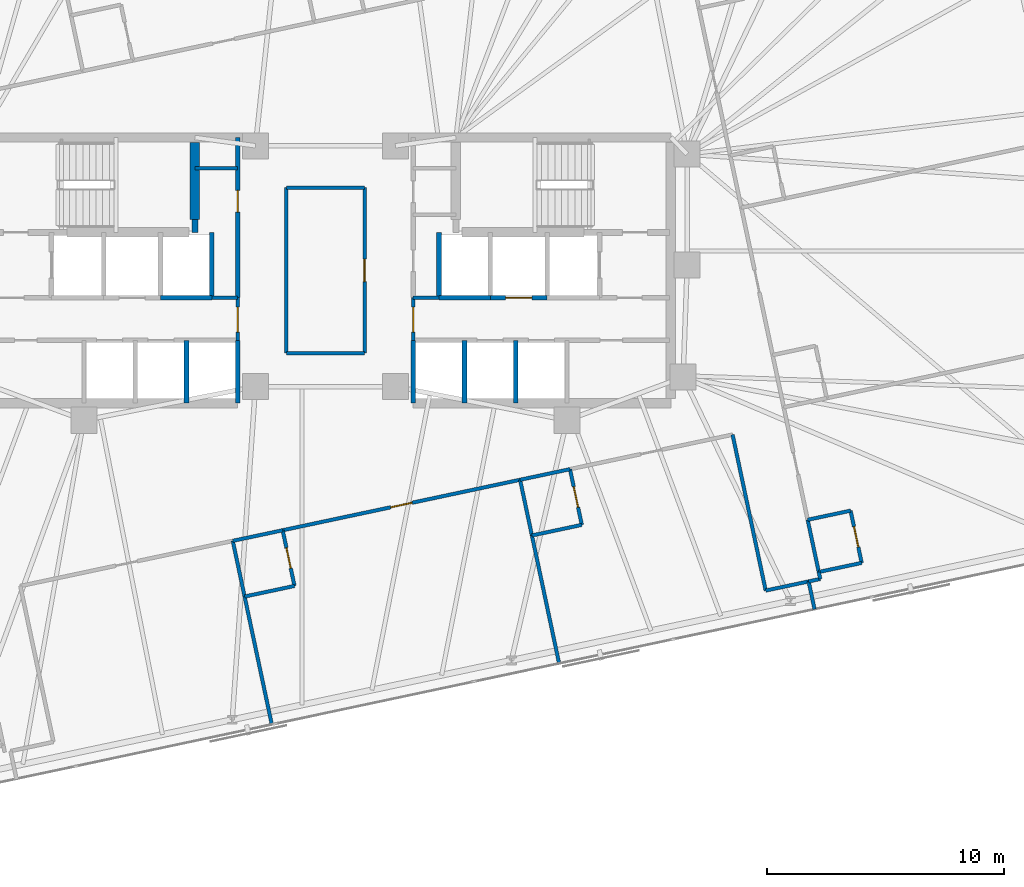
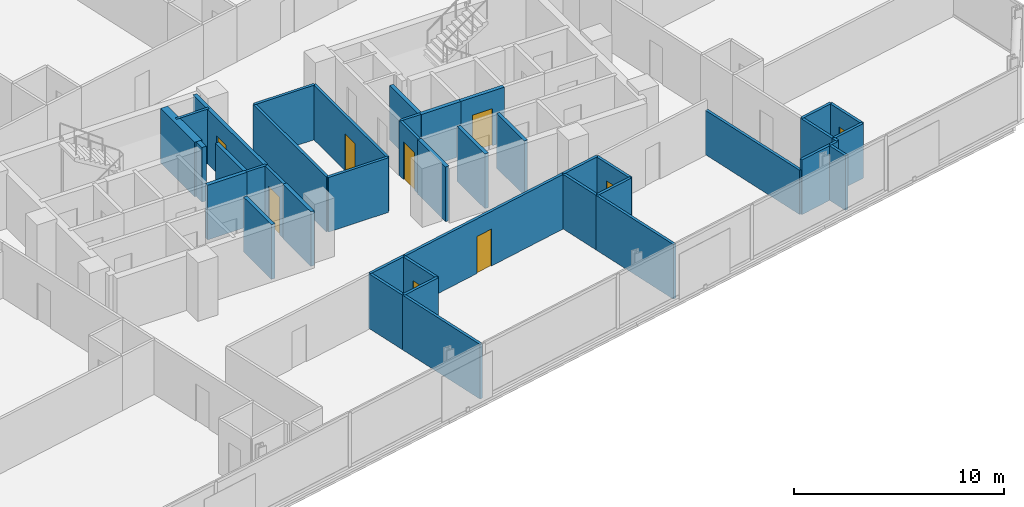
# One storey, part 15 of 19: 42 walls, 9 doors, 9 openings.
"""IFC4 building model written with IfcOpenShell, lengths in metres."""

from ifc_helpers import new_model, si_unit, direction, frame, frame_2d, origin, place, context, subcontext, project, spatial, rectangle, extrude, material, layer, layer_set, type_object, element, fill, save


model = new_model("IFC4")

# Units and contexts
model_context = context("Model", 3, precision=1e-05, world=origin(), true_north=direction((0.0, 1.0)))
body_context = subcontext(model_context, "Body", "Model", "MODEL_VIEW")
ifc_project = project(units=[si_unit("LENGTHUNIT", "METRE"), si_unit("AREAUNIT", "SQUARE_METRE"), si_unit("VOLUMEUNIT", "CUBIC_METRE"), si_unit("PLANEANGLEUNIT", "RADIAN"), si_unit("MASSUNIT", "GRAM", prefix="KILO")], contexts=[model_context])

# Site, building, storey
site_placement = place(None, origin())
site = spatial("IfcSite", under=ifc_project, at=site_placement, CompositionType="ELEMENT")
building_placement = place(site_placement, origin())
building = spatial("IfcBuilding", under=site, at=building_placement, Name="Menara Jurai Vektor", CompositionType="ELEMENT")
storey_placement = place(building_placement, frame((0.0, 0.0, 195.60009765625)))
storey = spatial("IfcBuildingStorey", under=building, at=storey_placement, Name="L51", CompositionType="ELEMENT", Elevation=195.60009765625)

# Wall
ifc_material_1 = material(Name="Concrete C40/50", Category="concrete")
ifc_layer_1 = layer(ifc_material_1, 0.25)
ifc_layer_set_1 = layer_set([ifc_layer_1], Name="Concrete C40/50")
wall_type_1 = type_object("IfcWallType", Name="INT-WALL-CORE-250", PredefinedType="STANDARD", material=ifc_layer_set_1)
wall_1_placement = place(storey_placement, frame((-5.5, 1.60009765625, 0.0), z_axis=(0.0, 0.0, 1.0), x_axis=(0.0, 1.0, 0.0)))
element("IfcWall", 1, at=wall_1_placement, inside=storey, type_object=wall_type_1, Name="Interior Wall IW-250 L51", PredefinedType="STANDARD", context=body_context, shape_type="SweptSolid", body=[
    extrude(rectangle(XDim=0.5498046875, YDim=0.25, at=frame_2d((0.27490234375, 0.0))), origin(), (0.0, 0.0, 1.0), 3.1748046875),
])

# Wall, opening, door
ifc_material_2 = material(Name="Gypsum Fireboard Partition", Category="gypsum")
ifc_layer_2 = layer(ifc_material_2, 0.14990234375)
ifc_layer_set_2 = layer_set([ifc_layer_2], Name="Gypsum Fireboard Partition")
wall_type_2 = type_object("IfcWallType", Name="INT-WALL-CORR-150", PredefinedType="PARTITIONING", material=ifc_layer_set_2)
wall_2_placement = place(storey_placement, frame((-3.699951171875, -2.949951171875, 0.0), z_axis=(0.0, 0.0, 1.0), x_axis=(0.0, 1.0, 0.0)))
wall_2 = element("IfcWall", 2, at=wall_2_placement, inside=storey, type_object=wall_type_2, Name="Interior Wall IW-150 L51", PredefinedType="PARTITIONING", context=body_context, shape_type="SweptSolid", body=[
    extrude(rectangle(XDim=1.800048828125, YDim=0.14990234375, at=frame_2d((0.89990234375, 0.0))), origin(), (0.0, 0.0, 1.0), 3.1748046875),
])
opening_1_placement = place(wall_2_placement, frame((0.35009765625, 0.0, 0.0)))
opening_1 = element("IfcOpeningElement", 3, at=opening_1_placement, cuts=wall_2, Name="Opening D-L51-LLW", PredefinedType="OPENING", context=body_context, shape_type="SweptSolid", body=[
    extrude(rectangle(XDim=1.050048828125, YDim=2.179931640625, at=frame_2d((0.52490234375, 1.08984375))), frame((0.0, 0.0849609375, 0.0), z_axis=(0.0, -1.0, 0.0), x_axis=(1.0, 0.0, 0.0)), (0.0, 0.0, 1.0), 0.169921875),
])
ifc_material_3 = material(Name="Fire-Rated Timber Door", Category="wood")
door_type_1 = type_object("IfcDoorType", Name="DR-LOBBY-1050", OperationType="NOTDEFINED", PredefinedType="DOOR", material=ifc_material_3)
door_1_placement = place(opening_1_placement, origin())
door_1 = element("IfcDoor", 4, at=door_1_placement, inside=storey, type_object=door_type_1, Name="Lift Lobby Corridor Door W L51", OperationType="SINGLE_SWING_LEFT", OverallHeight=2.179931640625, OverallWidth=1.050048828125, PredefinedType="DOOR", context=body_context, shape_type="SweptSolid", body=[
    extrude(rectangle(XDim=1.050048828125, YDim=2.179931640625, at=frame_2d((0.52490234375, 1.08984375))), frame((0.0, 0.02490234375, 0.0), z_axis=(0.0, -1.0, 0.0), x_axis=(1.0, 0.0, 0.0)), (0.0, 0.0, 1.0), 0.050048828125),
])
fill(opening_1, door_1)

# Wall
wall_3_placement = place(storey_placement, frame((-4.7900390625, -1.14990234375, 0.0), z_axis=(0.0, 0.0, 1.0), x_axis=(1.0, 0.0, 0.0)))
element("IfcWall", 5, at=wall_3_placement, inside=storey, type_object=wall_type_2, Name="Interior Wall IW-150 L51", PredefinedType="PARTITIONING", context=body_context, shape_type="SweptSolid", body=[
    extrude(rectangle(XDim=1.090087890625, YDim=0.14990234375, at=frame_2d((0.544921875, 0.0))), origin(), (0.0, 0.0, 1.0), 3.1748046875),
])

# Wall, opening, door
wall_4_placement = place(storey_placement, frame((3.699951171875, -2.949951171875, 0.0), z_axis=(0.0, 0.0, 1.0), x_axis=(0.0, 1.0, 0.0)))
wall_4 = element("IfcWall", 6, at=wall_4_placement, inside=storey, type_object=wall_type_2, Name="Interior Wall IW-150 L51", PredefinedType="PARTITIONING", context=body_context, shape_type="SweptSolid", body=[
    extrude(rectangle(XDim=1.800048828125, YDim=0.14990234375, at=frame_2d((0.89990234375, 0.0))), origin(), (0.0, 0.0, 1.0), 3.1748046875),
])
opening_2_placement = place(wall_4_placement, frame((0.35009765625, 0.0, 0.0)))
opening_2 = element("IfcOpeningElement", 7, at=opening_2_placement, cuts=wall_4, Name="Opening D-L51-LLE", PredefinedType="OPENING", context=body_context, shape_type="SweptSolid", body=[
    extrude(rectangle(XDim=1.050048828125, YDim=2.179931640625, at=frame_2d((0.52490234375, 1.08984375))), frame((0.0, 0.0849609375, 0.0), z_axis=(0.0, -1.0, 0.0), x_axis=(1.0, 0.0, 0.0)), (0.0, 0.0, 1.0), 0.169921875),
])
door_2_placement = place(opening_2_placement, frame((1.050048828125, 0.0, 0.0), z_axis=(0.0, 0.0, 1.0), x_axis=(-1.0, 0.0, 0.0)))
door_2 = element("IfcDoor", 8, at=door_2_placement, inside=storey, type_object=door_type_1, Name="Lift Lobby Corridor Door E L51", OperationType="SINGLE_SWING_RIGHT", OverallHeight=2.179931640625, OverallWidth=1.050048828125, PredefinedType="DOOR", context=body_context, shape_type="SweptSolid", body=[
    extrude(rectangle(XDim=1.050048828125, YDim=2.179931640625, at=frame_2d((0.52490234375, 1.08984375))), frame((0.0, 0.02490234375, 0.0), z_axis=(0.0, -1.0, 0.0), x_axis=(1.0, 0.0, 0.0)), (0.0, 0.0, 1.0), 0.050048828125),
])
fill(opening_2, door_2)

# Walls
wall_5_placement = place(storey_placement, frame((3.699951171875, -1.14990234375, 0.0), z_axis=(0.0, 0.0, 1.0), x_axis=(1.0, 0.0, 0.0)))
element("IfcWall", 9, at=wall_5_placement, inside=storey, type_object=wall_type_2, Name="Interior Wall IW-150 L51", PredefinedType="PARTITIONING", context=body_context, shape_type="SweptSolid", body=[
    extrude(rectangle(XDim=1.090087890625, YDim=0.14990234375, at=frame_2d((0.544921875, 0.0))), origin(), (0.0, 0.0, 1.0), 3.1748046875),
])
wall_6_placement = place(storey_placement, frame((-5.5, 4.300048828125, 0.0), z_axis=(0.0, 0.0, 1.0), x_axis=(1.0, 0.0, 0.0)))
element("IfcWall", 10, at=wall_6_placement, inside=storey, type_object=wall_type_2, Name="Interior Wall IW-150 L51", PredefinedType="PARTITIONING", context=body_context, shape_type="SweptSolid", body=[
    extrude(rectangle(XDim=1.800048828125, YDim=0.14990234375, at=frame_2d((0.89990234375, 0.0))), origin(), (0.0, 0.0, 1.0), 3.1748046875),
])
wall_7_placement = place(storey_placement, frame((-1.64990234375, -3.489501953125, 0.0), z_axis=(0.0, 0.0, 1.0), x_axis=(-3.4979712e-05, 0.999999999388, 0.0)))
element("IfcWall", 11, at=wall_7_placement, inside=storey, type_object=wall_type_2, Name="Interior Wall IW-150 L51", PredefinedType="PARTITIONING", context=body_context, shape_type="SweptSolid", body=[
    extrude(rectangle(XDim=6.9794921875, YDim=0.14990234375, at=frame_2d((3.48974609375, 0.0))), origin(), (0.0, 0.0, 1.0), 3.1748046875),
])
wall_8_placement = place(storey_placement, frame((-1.64990234375, -3.489501953125, 0.0), z_axis=(0.0, 0.0, 1.0), x_axis=(0.999999975374, -0.000221926315, 0.0)))
element("IfcWall", 12, at=wall_8_placement, inside=storey, type_object=wall_type_2, Name="Interior Wall IW-150 L51", PredefinedType="PARTITIONING", context=body_context, shape_type="SweptSolid", body=[
    extrude(rectangle(XDim=3.30029296875, YDim=0.14990234375, at=frame_2d((1.650146484375, 0.0))), origin(), (0.0, 0.0, 1.0), 3.1748046875),
])
wall_9_placement = place(storey_placement, frame((-1.650146484375, 3.489990234375, 0.0), z_axis=(0.0, 0.0, 1.0), x_axis=(1.0, 0.0, 0.0)))
element("IfcWall", 13, at=wall_9_placement, inside=storey, type_object=wall_type_2, Name="Interior Wall IW-150 L51", PredefinedType="PARTITIONING", context=body_context, shape_type="SweptSolid", body=[
    extrude(rectangle(XDim=3.300048828125, YDim=0.14990234375, at=frame_2d((1.64990234375, 0.0))), origin(), (0.0, 0.0, 1.0), 3.1748046875),
])

# Wall, opening, door
wall_10_placement = place(storey_placement, frame((1.650390625, -3.490234375, 0.0), z_axis=(0.0, 0.0, 1.0), x_axis=(-6.9952083e-05, 0.999999997553, 0.0)))
wall_10 = element("IfcWall", 14, at=wall_10_placement, inside=storey, type_object=wall_type_2, Name="Interior Wall IW-150 L51", PredefinedType="PARTITIONING", context=body_context, shape_type="SweptSolid", body=[
    extrude(rectangle(XDim=6.980224609375, YDim=0.14990234375, at=frame_2d((3.490234375, 0.0))), origin(), (0.0, 0.0, 1.0), 3.1748046875),
])
opening_3_placement = place(wall_10_placement, frame((3.01513671875, 0.0, 0.0)))
opening_3 = element("IfcOpeningElement", 15, at=opening_3_placement, cuts=wall_10, Name="Opening D51-06", PredefinedType="OPENING", context=body_context, shape_type="SweptSolid", body=[
    extrude(rectangle(XDim=0.949951171875, YDim=2.14990234375, at=frame_2d((0.47509765625, 1.074951171875))), frame((0.0, 0.0849609375, 0.0), z_axis=(0.0, -1.0, 0.0), x_axis=(1.0, 0.0, 0.0)), (0.0, 0.0, 1.0), 0.169921875),
])
ifc_material_4 = material(Name="Solid Core Timber Fire Door", Category="wood")
door_type_2 = type_object("IfcDoorType", Name="DR-ENTRY-950", OperationType="NOTDEFINED", PredefinedType="DOOR", material=ifc_material_4)
door_3_placement = place(opening_3_placement, origin())
door_3 = element("IfcDoor", 16, at=door_3_placement, inside=storey, type_object=door_type_2, Name="Interior Door D51-06", OperationType="SINGLE_SWING_LEFT", OverallHeight=2.14990234375, OverallWidth=0.949951171875, PredefinedType="DOOR", context=body_context, shape_type="SweptSolid", body=[
    extrude(rectangle(XDim=0.949951171875, YDim=2.14990234375, at=frame_2d((0.47509765625, 1.074951171875))), frame((0.0, 0.02490234375, 0.0), z_axis=(0.0, -1.0, 0.0), x_axis=(1.0, 0.0, 0.0)), (0.0, 0.0, 1.0), 0.050048828125),
])
fill(opening_3, door_3)

wall_11_placement = place(storey_placement, frame((-1.802734375, -10.95654296875, 0.0), z_axis=(0.0, 0.0, 1.0), x_axis=(0.978145386425, 0.207922108048, 0.0)))
wall_11 = element("IfcWall", 17, at=wall_11_placement, inside=storey, type_object=wall_type_2, Name="Interior Wall IW-150 L51", PredefinedType="PARTITIONING", context=body_context, shape_type="SweptSolid", body=[
    extrude(rectangle(XDim=10.23193359375, YDim=0.14990234375, at=frame_2d((5.115966796875, 0.0))), origin(), (0.0, 0.0, 1.0), 3.1748046875),
])
opening_4_placement = place(wall_11_placement, frame((4.656005859375, 0.0, 0.0)))
opening_4 = element("IfcOpeningElement", 18, at=opening_4_placement, cuts=wall_11, Name="Opening D51-15", PredefinedType="OPENING", context=body_context, shape_type="SweptSolid", body=[
    extrude(rectangle(XDim=0.919921875, YDim=2.14990234375, at=frame_2d((0.4599609375, 1.074951171875))), frame((0.0, 0.0849609375, 0.0), z_axis=(0.0, -1.0, 0.0), x_axis=(1.0, 0.0, 0.0)), (0.0, 0.0, 1.0), 0.169921875),
])
door_4_placement = place(opening_4_placement, origin())
door_4 = element("IfcDoor", 19, at=door_4_placement, inside=storey, type_object=door_type_2, Name="Interior Door D51-15", OperationType="SINGLE_SWING_RIGHT", OverallHeight=2.14990234375, OverallWidth=0.919921875, PredefinedType="DOOR", context=body_context, shape_type="SweptSolid", body=[
    extrude(rectangle(XDim=0.919921875, YDim=2.14990234375, at=frame_2d((0.4599609375, 1.074951171875))), frame((0.0, 0.02490234375, 0.0), z_axis=(0.0, -1.0, 0.0), x_axis=(1.0, 0.0, 0.0)), (0.0, 0.0, 1.0), 0.050048828125),
])
fill(opening_4, door_4)

# Walls
wall_12_placement = place(storey_placement, frame((-3.90576171875, -11.403564453125, 0.0), z_axis=(0.0, 0.0, 1.0), x_axis=(0.978146728319, 0.207915795165, 0.0)))
element("IfcWall", 20, at=wall_12_placement, inside=storey, type_object=wall_type_2, Name="Interior Wall IW-150 L51", PredefinedType="PARTITIONING", context=body_context, shape_type="SweptSolid", body=[
    extrude(rectangle(XDim=2.14990234375, YDim=0.14990234375, at=frame_2d((1.074951171875, 0.0))), origin(), (0.0, 0.0, 1.0), 3.1748046875),
])
wall_13_placement = place(storey_placement, frame((18.5595703125, -13.498291015625, 0.0), z_axis=(0.0, 0.0, 1.0), x_axis=(0.978160192495, 0.207852442415, 0.0)))
element("IfcWall", 21, at=wall_13_placement, inside=storey, type_object=wall_type_2, Name="Interior Wall IW-150 L51", PredefinedType="PARTITIONING", context=body_context, shape_type="SweptSolid", body=[
    extrude(rectangle(XDim=1.849853515625, YDim=0.14990234375, at=frame_2d((0.9248046875, 0.0))), origin(), (0.0, 0.0, 1.0), 3.1748046875),
])
wall_14_placement = place(storey_placement, frame((8.20556640625, -8.8291015625, 0.0), z_axis=(0.0, 0.0, 1.0), x_axis=(0.978146728319, 0.207915795165, 0.0)))
element("IfcWall", 22, at=wall_14_placement, inside=storey, type_object=wall_type_2, Name="Interior Wall IW-150 L51", PredefinedType="PARTITIONING", context=body_context, shape_type="SweptSolid", body=[
    extrude(rectangle(XDim=2.14990234375, YDim=0.14990234375, at=frame_2d((1.074951171875, 0.0))), origin(), (0.0, 0.0, 1.0), 3.1748046875),
])
wall_15_placement = place(storey_placement, frame((20.369140625, -13.11376953125, 0.0), z_axis=(0.0, 0.0, 1.0), x_axis=(0.978143962546, 0.207928806409, 0.0)))
element("IfcWall", 23, at=wall_15_placement, inside=storey, type_object=wall_type_2, Name="Interior Wall IW-150 L51", PredefinedType="PARTITIONING", context=body_context, shape_type="SweptSolid", body=[
    extrude(rectangle(XDim=0.500244140625, YDim=0.14990234375, at=frame_2d((0.25, 0.0))), origin(), (0.0, 0.0, 1.0), 3.1748046875),
])
wall_16_placement = place(storey_placement, frame((20.8583984375, -13.009765625, 0.0), z_axis=(0.0, 0.0, 1.0), x_axis=(-0.208306395052, 0.978063620518, 0.0)))
element("IfcWall", 24, at=wall_16_placement, inside=storey, type_object=wall_type_2, Name="Interior Wall IW-150 L51", PredefinedType="PARTITIONING", context=body_context, shape_type="SweptSolid", body=[
    extrude(rectangle(XDim=0.300048828125, YDim=0.14990234375, at=frame_2d((0.14990234375, 0.0))), origin(), (0.0, 0.0, 1.0), 3.1748046875),
])
wall_17_placement = place(storey_placement, frame((20.7958984375, -12.71630859375, 0.0), z_axis=(0.0, 0.0, 1.0), x_axis=(-0.207891197838, 0.978151956427, 0.0)))
element("IfcWall", 25, at=wall_17_placement, inside=storey, type_object=wall_type_2, Name="Interior Wall IW-150 L51", PredefinedType="PARTITIONING", context=body_context, shape_type="SweptSolid", body=[
    extrude(rectangle(XDim=2.25, YDim=0.14990234375, at=frame_2d((1.125, 0.0))), origin(), (0.0, 0.0, 1.0), 3.1748046875),
])
wall_18_placement = place(storey_placement, frame((-2.25927734375, -19.150390625, 0.0), z_axis=(0.0, 0.0, 1.0), x_axis=(-0.20791588359, 0.978146709523, 0.0)))
element("IfcWall", 26, at=wall_18_placement, inside=storey, type_object=wall_type_2, Name="Interior Wall IW-150 L51", PredefinedType="PARTITIONING", context=body_context, shape_type="SweptSolid", body=[
    extrude(rectangle(XDim=5.52001953125, YDim=0.14990234375, at=frame_2d((2.760009765625, 0.0))), origin(), (0.0, 0.0, 1.0), 3.1748046875),
])
wall_19_placement = place(storey_placement, frame((-3.406982421875, -13.7509765625, 0.0), z_axis=(0.0, 0.0, 1.0), x_axis=(-0.207840504985, 0.978162729042, 0.0)))
element("IfcWall", 27, at=wall_19_placement, inside=storey, type_object=wall_type_2, Name="Interior Wall IW-150 L51", PredefinedType="PARTITIONING", context=body_context, shape_type="SweptSolid", body=[
    extrude(rectangle(XDim=2.39990234375, YDim=0.14990234375, at=frame_2d((1.199951171875, 0.0))), origin(), (0.0, 0.0, 1.0), 3.1748046875),
])
wall_20_placement = place(storey_placement, frame((-3.406982421875, -13.7509765625, 0.0), z_axis=(0.0, 0.0, 1.0), x_axis=(0.978151636287, 0.207892704126, 0.0)))
element("IfcWall", 28, at=wall_20_placement, inside=storey, type_object=wall_type_2, Name="Interior Wall IW-150 L51", PredefinedType="PARTITIONING", context=body_context, shape_type="SweptSolid", body=[
    extrude(rectangle(XDim=2.150146484375, YDim=0.14990234375, at=frame_2d((1.0751953125, 0.0))), origin(), (0.0, 0.0, 1.0), 3.1748046875),
])

# Wall, opening, door
wall_21_placement = place(storey_placement, frame((-1.3037109375, -13.303955078125, 0.0), z_axis=(0.0, 0.0, 1.0), x_axis=(-0.207937840262, 0.978142042133, 0.0)))
wall_21 = element("IfcWall", 29, at=wall_21_placement, inside=storey, type_object=wall_type_2, Name="Interior Wall IW-150 L51", PredefinedType="PARTITIONING", context=body_context, shape_type="SweptSolid", body=[
    extrude(rectangle(XDim=2.39990234375, YDim=0.14990234375, at=frame_2d((1.199951171875, 0.0))), origin(), (0.0, 0.0, 1.0), 3.1748046875),
])
opening_5_placement = place(wall_21_placement, frame((0.760009765625, 0.0, 0.0)))
opening_5 = element("IfcOpeningElement", 30, at=opening_5_placement, cuts=wall_21, Name="Opening D51-16", PredefinedType="OPENING", context=body_context, shape_type="SweptSolid", body=[
    extrude(rectangle(XDim=0.8798828125, YDim=2.14990234375, at=frame_2d((0.43994140625, 1.074951171875))), frame((0.0, 0.0849609375, 0.0), z_axis=(0.0, -1.0, 0.0), x_axis=(1.0, 0.0, 0.0)), (0.0, 0.0, 1.0), 0.169921875),
])
ifc_material_5 = material(Name="Moisture-Resistant Timber Door", Category="wood")
door_type_3 = type_object("IfcDoorType", Name="DR-BATH-880", OperationType="NOTDEFINED", PredefinedType="DOOR", material=ifc_material_5)
door_5_placement = place(opening_5_placement, origin())
door_5 = element("IfcDoor", 31, at=door_5_placement, inside=storey, type_object=door_type_3, Name="Interior Door D51-16", OperationType="SINGLE_SWING_LEFT", OverallHeight=2.14990234375, OverallWidth=0.8798828125, PredefinedType="DOOR", context=body_context, shape_type="SweptSolid", body=[
    extrude(rectangle(XDim=0.8798828125, YDim=2.14990234375, at=frame_2d((0.43994140625, 1.074951171875))), frame((0.0, 0.02490234375, 0.0), z_axis=(0.0, -1.0, 0.0), x_axis=(1.0, 0.0, 0.0)), (0.0, 0.0, 1.0), 0.050048828125),
])
fill(opening_5, door_5)

# Walls
wall_22_placement = place(storey_placement, frame((9.852294921875, -16.575927734375, 0.0), z_axis=(0.0, 0.0, 1.0), x_axis=(-0.20792487872, 0.978144797466, 0.0)))
element("IfcWall", 32, at=wall_22_placement, inside=storey, type_object=wall_type_2, Name="Interior Wall IW-150 L51", PredefinedType="PARTITIONING", context=body_context, shape_type="SweptSolid", body=[
    extrude(rectangle(XDim=5.519775390625, YDim=0.14990234375, at=frame_2d((2.759765625, 0.0))), origin(), (0.0, 0.0, 1.0), 3.1748046875),
])
wall_23_placement = place(storey_placement, frame((8.70458984375, -11.1767578125, 0.0), z_axis=(0.0, 0.0, 1.0), x_axis=(-0.207917150959, 0.978146440129, 0.0)))
element("IfcWall", 33, at=wall_23_placement, inside=storey, type_object=wall_type_2, Name="Interior Wall IW-150 L51", PredefinedType="PARTITIONING", context=body_context, shape_type="SweptSolid", body=[
    extrude(rectangle(XDim=2.400146484375, YDim=0.14990234375, at=frame_2d((1.2001953125, 0.0))), origin(), (0.0, 0.0, 1.0), 3.1748046875),
])
wall_24_placement = place(storey_placement, frame((8.70458984375, -11.1767578125, 0.0), z_axis=(0.0, 0.0, 1.0), x_axis=(0.978123629285, 0.208024435669, 0.0)))
element("IfcWall", 34, at=wall_24_placement, inside=storey, type_object=wall_type_2, Name="Interior Wall IW-150 L51", PredefinedType="PARTITIONING", context=body_context, shape_type="SweptSolid", body=[
    extrude(rectangle(XDim=2.150146484375, YDim=0.14990234375, at=frame_2d((1.0751953125, 0.0))), origin(), (0.0, 0.0, 1.0), 3.1748046875),
])

# Wall, opening, door
wall_25_placement = place(storey_placement, frame((10.8076171875, -10.7294921875, 0.0), z_axis=(0.0, 0.0, 1.0), x_axis=(-0.207937840262, 0.978142042133, 0.0)))
wall_25 = element("IfcWall", 35, at=wall_25_placement, inside=storey, type_object=wall_type_2, Name="Interior Wall IW-150 L51", PredefinedType="PARTITIONING", context=body_context, shape_type="SweptSolid", body=[
    extrude(rectangle(XDim=2.39990234375, YDim=0.14990234375, at=frame_2d((1.199951171875, 0.0))), origin(), (0.0, 0.0, 1.0), 3.1748046875),
])
opening_6_placement = place(wall_25_placement, frame((0.760009765625, 0.0, 0.0)))
opening_6 = element("IfcOpeningElement", 36, at=opening_6_placement, cuts=wall_25, Name="Opening D51-18", PredefinedType="OPENING", context=body_context, shape_type="SweptSolid", body=[
    extrude(rectangle(XDim=0.8798828125, YDim=2.14990234375, at=frame_2d((0.43994140625, 1.074951171875))), frame((0.0, 0.0849609375, 0.0), z_axis=(0.0, -1.0, 0.0), x_axis=(1.0, 0.0, 0.0)), (0.0, 0.0, 1.0), 0.169921875),
])
door_6_placement = place(opening_6_placement, origin())
door_6 = element("IfcDoor", 37, at=door_6_placement, inside=storey, type_object=door_type_3, Name="Interior Door D51-18", OperationType="SINGLE_SWING_LEFT", OverallHeight=2.14990234375, OverallWidth=0.8798828125, PredefinedType="DOOR", context=body_context, shape_type="SweptSolid", body=[
    extrude(rectangle(XDim=0.8798828125, YDim=2.14990234375, at=frame_2d((0.43994140625, 1.074951171875))), frame((0.0, 0.02490234375, 0.0), z_axis=(0.0, -1.0, 0.0), x_axis=(1.0, 0.0, 0.0)), (0.0, 0.0, 1.0), 0.050048828125),
])
fill(opening_6, door_6)

# Walls
wall_26_placement = place(storey_placement, frame((20.61865234375, -14.28759765625, 0.0), z_axis=(0.0, 0.0, 1.0), x_axis=(-0.207917150959, 0.978146440129, 0.0)))
element("IfcWall", 38, at=wall_26_placement, inside=storey, type_object=wall_type_2, Name="Interior Wall IW-150 L51", PredefinedType="PARTITIONING", context=body_context, shape_type="SweptSolid", body=[
    extrude(rectangle(XDim=1.199951171875, YDim=0.14990234375, at=frame_2d((0.60009765625, 0.0))), origin(), (0.0, 0.0, 1.0), 3.1748046875),
])
for number, where, z_axis, x_axis, name in (
    (39, (20.7958984375, -12.71630859375, 0.0), (0.0, 0.0, 1.0), (0.978160192495, 0.207852442415, 0.0), "Interior Wall IW-150 L51"),
    (40, (20.328125, -10.515380859375, 0.0), (0.0, 0.0, 1.0), (0.978160192495, 0.207852442415, 0.0), "Interior Wall IW-150 L51"),
):
    element("IfcWall", number, at=place(storey_placement, frame(where, z_axis=z_axis, x_axis=x_axis)), inside=storey, type_object=wall_type_2, Name=name, PredefinedType="PARTITIONING", context=body_context, shape_type="SweptSolid", body=[
        extrude(rectangle(XDim=1.849853515625, YDim=0.14990234375, at=frame_2d((0.9248046875, 0.0))), origin(), (0.0, 0.0, 1.0), 3.1748046875),
    ])

# Wall, opening, door
wall_27_placement = place(storey_placement, frame((22.60546875, -12.331787109375, 0.0), z_axis=(0.0, 0.0, 1.0), x_axis=(-0.207891197838, 0.978151956427, 0.0)))
wall_27 = element("IfcWall", 41, at=wall_27_placement, inside=storey, type_object=wall_type_2, Name="Interior Wall IW-150 L51", PredefinedType="PARTITIONING", context=body_context, shape_type="SweptSolid", body=[
    extrude(rectangle(XDim=2.25, YDim=0.14990234375, at=frame_2d((1.125, 0.0))), origin(), (0.0, 0.0, 1.0), 3.1748046875),
])
opening_7_placement = place(wall_27_placement, frame((0.68505859375, 0.0, 0.0)))
opening_7 = element("IfcOpeningElement", 42, at=opening_7_placement, cuts=wall_27, Name="Opening D51-28", PredefinedType="OPENING", context=body_context, shape_type="SweptSolid", body=[
    extrude(rectangle(XDim=0.8798828125, YDim=2.14990234375, at=frame_2d((0.43994140625, 1.074951171875))), frame((0.0, 0.0849609375, 0.0), z_axis=(0.0, -1.0, 0.0), x_axis=(1.0, 0.0, 0.0)), (0.0, 0.0, 1.0), 0.169921875),
])
door_7_placement = place(opening_7_placement, origin())
door_7 = element("IfcDoor", 43, at=door_7_placement, inside=storey, type_object=door_type_3, Name="Interior Door D51-28", OperationType="SINGLE_SWING_LEFT", OverallHeight=2.14990234375, OverallWidth=0.8798828125, PredefinedType="DOOR", context=body_context, shape_type="SweptSolid", body=[
    extrude(rectangle(XDim=0.8798828125, YDim=2.14990234375, at=frame_2d((0.43994140625, 1.074951171875))), frame((0.0, 0.02490234375, 0.0), z_axis=(0.0, -1.0, 0.0), x_axis=(1.0, 0.0, 0.0)), (0.0, 0.0, 1.0), 0.050048828125),
])
fill(opening_7, door_7)

# Wall
ifc_layer_3 = layer(ifc_material_2, 0.14990234375)
ifc_layer_set_3 = layer_set([ifc_layer_3], Name="Gypsum Fireboard Partition")
wall_type_3 = type_object("IfcWallType", Name="INT-WALL-CORR-150-H2", PredefinedType="PARTITIONING", material=ifc_layer_set_3)
wall_28_placement = place(storey_placement, frame((18.5595703125, -13.498291015625, 0.0), z_axis=(0.0, 0.0, 1.0), x_axis=(-0.207888737749, 0.978152479278, 0.0)))
element("IfcWall", 44, at=wall_28_placement, inside=storey, type_object=wall_type_3, Name="Interior Wall IW-150 L51", PredefinedType="PARTITIONING", context=body_context, shape_type="SweptSolid", body=[
    extrude(rectangle(XDim=6.7197265625, YDim=0.14990234375, at=frame_2d((3.35986328125, 0.0))), origin(), (0.0, 0.0, 1.0), 2.574951171875),
])

# Wall, opening, door
ifc_layer_4 = layer(ifc_material_1, 0.199951171875)
ifc_layer_set_4 = layer_set([ifc_layer_4], Name="Concrete C40/50")
wall_type_4 = type_object("IfcWallType", Name="INT-WALL-SHAFT-200", PredefinedType="STANDARD", material=ifc_layer_set_4)
wall_29_placement = place(storey_placement, frame((-3.699951171875, -1.14990234375, 0.0), z_axis=(0.0, 0.0, 1.0), x_axis=(0.0, 1.0, 0.0)))
wall_29 = element("IfcWall", 45, at=wall_29_placement, inside=storey, type_object=wall_type_4, Name="Interior Wall IW-200 L51", PredefinedType="STANDARD", context=body_context, shape_type="SweptSolid", body=[
    extrude(rectangle(XDim=6.75, YDim=0.199951171875, at=frame_2d((3.375, 0.0))), origin(), (0.0, 0.0, 1.0), 3.1748046875),
])
opening_8_placement = place(wall_29_placement, frame((3.60009765625, 0.0, 0.0)))
opening_8 = element("IfcOpeningElement", 46, at=opening_8_placement, cuts=wall_29, Name="Opening D51-02", PredefinedType="OPENING", context=body_context, shape_type="SweptSolid", body=[
    extrude(rectangle(XDim=0.919921875, YDim=2.14990234375, at=frame_2d((0.4599609375, 1.074951171875))), frame((0.0, 0.10986328125, 0.0), z_axis=(0.0, -1.0, 0.0), x_axis=(1.0, 0.0, 0.0)), (0.0, 0.0, 1.0), 0.219970703125),
])
door_8_placement = place(opening_8_placement, origin())
door_8 = element("IfcDoor", 47, at=door_8_placement, inside=storey, type_object=door_type_2, Name="Interior Door D51-02", OperationType="SINGLE_SWING_LEFT", OverallHeight=2.14990234375, OverallWidth=0.919921875, PredefinedType="DOOR", context=body_context, shape_type="SweptSolid", body=[
    extrude(rectangle(XDim=0.919921875, YDim=2.14990234375, at=frame_2d((0.4599609375, 1.074951171875))), frame((0.0, 0.02490234375, 0.0), z_axis=(0.0, -1.0, 0.0), x_axis=(1.0, 0.0, 0.0)), (0.0, 0.0, 1.0), 0.050048828125),
])
fill(opening_8, door_8)

# Walls
wall_30_placement = place(storey_placement, frame((-3.699951171875, -5.60009765625, 0.0), z_axis=(0.0, 0.0, 1.0), x_axis=(0.0, 1.0, 0.0)))
element("IfcWall", 48, at=wall_30_placement, inside=storey, type_object=wall_type_4, Name="Interior Wall IW-200 L51", PredefinedType="STANDARD", context=body_context, shape_type="SweptSolid", body=[
    extrude(rectangle(XDim=2.650146484375, YDim=0.199951171875, at=frame_2d((1.3251953125, 0.0))), origin(), (0.0, 0.0, 1.0), 3.1748046875),
])
wall_31_placement = place(storey_placement, frame((-4.7900390625, -1.14990234375, 0.0), z_axis=(0.0, 0.0, 1.0), x_axis=(0.0, 1.0, 0.0)))
element("IfcWall", 49, at=wall_31_placement, inside=storey, type_object=wall_type_4, Name="Interior Wall IW-200 L51", PredefinedType="STANDARD", context=body_context, shape_type="SweptSolid", body=[
    extrude(rectangle(XDim=2.75, YDim=0.199951171875, at=frame_2d((1.375, 0.0))), origin(), (0.0, 0.0, 1.0), 3.1748046875),
])
wall_32_placement = place(storey_placement, frame((-6.949951171875, -1.14990234375, 0.0), z_axis=(0.0, 0.0, 1.0), x_axis=(1.0, 0.0, 0.0)))
element("IfcWall", 50, at=wall_32_placement, inside=storey, type_object=wall_type_4, Name="Interior Wall IW-200 L51", PredefinedType="STANDARD", context=body_context, shape_type="SweptSolid", body=[
    extrude(rectangle(XDim=2.159912109375, YDim=0.199951171875, at=frame_2d((1.080078125, 0.0))), origin(), (0.0, 0.0, 1.0), 3.1748046875),
])
for number, where, z_axis, x_axis, name in (
    (51, (-5.860107421875, -5.60009765625, 0.0), (0.0, 0.0, 1.0), (0.0, 1.0, 0.0), "Interior Wall IW-200 L51"),
    (52, (3.699951171875, -5.60009765625, 0.0), (0.0, 0.0, 1.0), (0.0, 1.0, 0.0), "Interior Wall IW-200 L51"),
):
    element("IfcWall", number, at=place(storey_placement, frame(where, z_axis=z_axis, x_axis=x_axis)), inside=storey, type_object=wall_type_4, Name=name, PredefinedType="STANDARD", context=body_context, shape_type="SweptSolid", body=[
        extrude(rectangle(XDim=2.650146484375, YDim=0.199951171875, at=frame_2d((1.3251953125, 0.0))), origin(), (0.0, 0.0, 1.0), 3.1748046875),
    ])

# Wall, opening, door
wall_33_placement = place(storey_placement, frame((6.949951171875, -1.14990234375, 0.0), z_axis=(0.0, 0.0, 1.0), x_axis=(1.0, 0.0, 0.0)))
wall_33 = element("IfcWall", 53, at=wall_33_placement, inside=storey, type_object=wall_type_4, Name="Interior Wall IW-200 L51", PredefinedType="STANDARD", context=body_context, shape_type="SweptSolid", body=[
    extrude(rectangle(XDim=2.400146484375, YDim=0.199951171875, at=frame_2d((1.2001953125, 0.0))), origin(), (0.0, 0.0, 1.0), 3.1748046875),
])
opening_9_placement = place(wall_33_placement, frame((0.64990234375, 0.0, 0.0)))
opening_9 = element("IfcOpeningElement", 54, at=opening_9_placement, cuts=wall_33, Name="Opening LD-L51-SVL2", PredefinedType="OPENING", context=body_context, shape_type="SweptSolid", body=[
    extrude(rectangle(XDim=1.10009765625, YDim=2.14990234375, at=frame_2d((0.550048828125, 1.074951171875))), frame((0.0, 0.10986328125, 0.0), z_axis=(0.0, -1.0, 0.0), x_axis=(1.0, 0.0, 0.0)), (0.0, 0.0, 1.0), 0.219970703125),
])
ifc_material_6 = material(Name="Anodised Stainless Sliding Lift Landing Door", Category="steel")
door_type_4 = type_object("IfcDoorType", Name="DR-LIFT-PASS-1100", OperationType="NOTDEFINED", PredefinedType="DOOR", material=ifc_material_6)
door_9_placement = place(opening_9_placement, origin())
door_9 = element("IfcDoor", 55, at=door_9_placement, inside=storey, type_object=door_type_4, Name="Lift Landing Door SVL2 L51", OperationType="SLIDING_TO_RIGHT", OverallHeight=2.14990234375, OverallWidth=1.10009765625, PredefinedType="DOOR", context=body_context, shape_type="SweptSolid", body=[
    extrude(rectangle(XDim=1.10009765625, YDim=2.14990234375, at=frame_2d((0.550048828125, 1.074951171875))), frame((0.0, 0.02490234375, 0.0), z_axis=(0.0, -1.0, 0.0), x_axis=(1.0, 0.0, 0.0)), (0.0, 0.0, 1.0), 0.050048828125),
])
fill(opening_9, door_9)

# Walls
wall_34_placement = place(storey_placement, frame((4.7900390625, -1.14990234375, 0.0), z_axis=(0.0, 0.0, 1.0), x_axis=(0.0, 1.0, 0.0)))
element("IfcWall", 56, at=wall_34_placement, inside=storey, type_object=wall_type_4, Name="Interior Wall IW-200 L51", PredefinedType="STANDARD", context=body_context, shape_type="SweptSolid", body=[
    extrude(rectangle(XDim=2.75, YDim=0.199951171875, at=frame_2d((1.375, 0.0))), origin(), (0.0, 0.0, 1.0), 3.1748046875),
])
wall_35_placement = place(storey_placement, frame((4.7900390625, -1.14990234375, 0.0), z_axis=(0.0, 0.0, 1.0), x_axis=(1.0, 0.0, 0.0)))
element("IfcWall", 57, at=wall_35_placement, inside=storey, type_object=wall_type_4, Name="Interior Wall IW-200 L51", PredefinedType="STANDARD", context=body_context, shape_type="SweptSolid", body=[
    extrude(rectangle(XDim=2.159912109375, YDim=0.199951171875, at=frame_2d((1.080078125, 0.0))), origin(), (0.0, 0.0, 1.0), 3.1748046875),
])
wall_36_placement = place(storey_placement, frame((5.860107421875, -5.60009765625, 0.0), z_axis=(0.0, 0.0, 1.0), x_axis=(0.0, 1.0, 0.0)))
element("IfcWall", 58, at=wall_36_placement, inside=storey, type_object=wall_type_4, Name="Interior Wall IW-200 L51", PredefinedType="STANDARD", context=body_context, shape_type="SweptSolid", body=[
    extrude(rectangle(XDim=2.650146484375, YDim=0.199951171875, at=frame_2d((1.3251953125, 0.0))), origin(), (0.0, 0.0, 1.0), 3.1748046875),
])
wall_37_placement = place(storey_placement, frame((8.02001953125, -5.60009765625, 0.0), z_axis=(0.0, 0.0, 1.0), x_axis=(0.0, 1.0, 0.0)))
element("IfcWall", 59, at=wall_37_placement, inside=storey, type_object=wall_type_4, Name="Interior Wall IW-200 L51", PredefinedType="STANDARD", context=body_context, shape_type="SweptSolid", body=[
    extrude(rectangle(XDim=2.650146484375, YDim=0.179931640625, at=frame_2d((1.3251953125, 0.0))), origin(), (0.0, 0.0, 1.0), 3.1748046875),
])
ifc_material_7 = material(Name="Concrete C50/60", Category="concrete")
ifc_layer_5 = layer(ifc_material_7, 0.39990234375)
ifc_layer_set_5 = layer_set([ifc_layer_5], Name="Concrete C50/60")
wall_type_5 = type_object("IfcWallType", Name="STR-WALL-CORE400", PredefinedType="SHEAR", material=ifc_layer_set_5)
wall_38_placement = place(storey_placement, frame((-5.5, 2.14990234375, 0.0), z_axis=(0.0, 0.0, 1.0), x_axis=(0.0, 1.0, 0.0)))
element("IfcWall", 60, at=wall_38_placement, inside=storey, type_object=wall_type_5, Name="Core Shear Wall CW-W-ST L51", PredefinedType="SHEAR", context=body_context, shape_type="SweptSolid", body=[
    extrude(rectangle(XDim=3.25, YDim=0.39990234375, at=frame_2d((1.625, 0.0))), origin(), (0.0, 0.0, 1.0), 3.1748046875),
])

save(model, "model.ifc")
